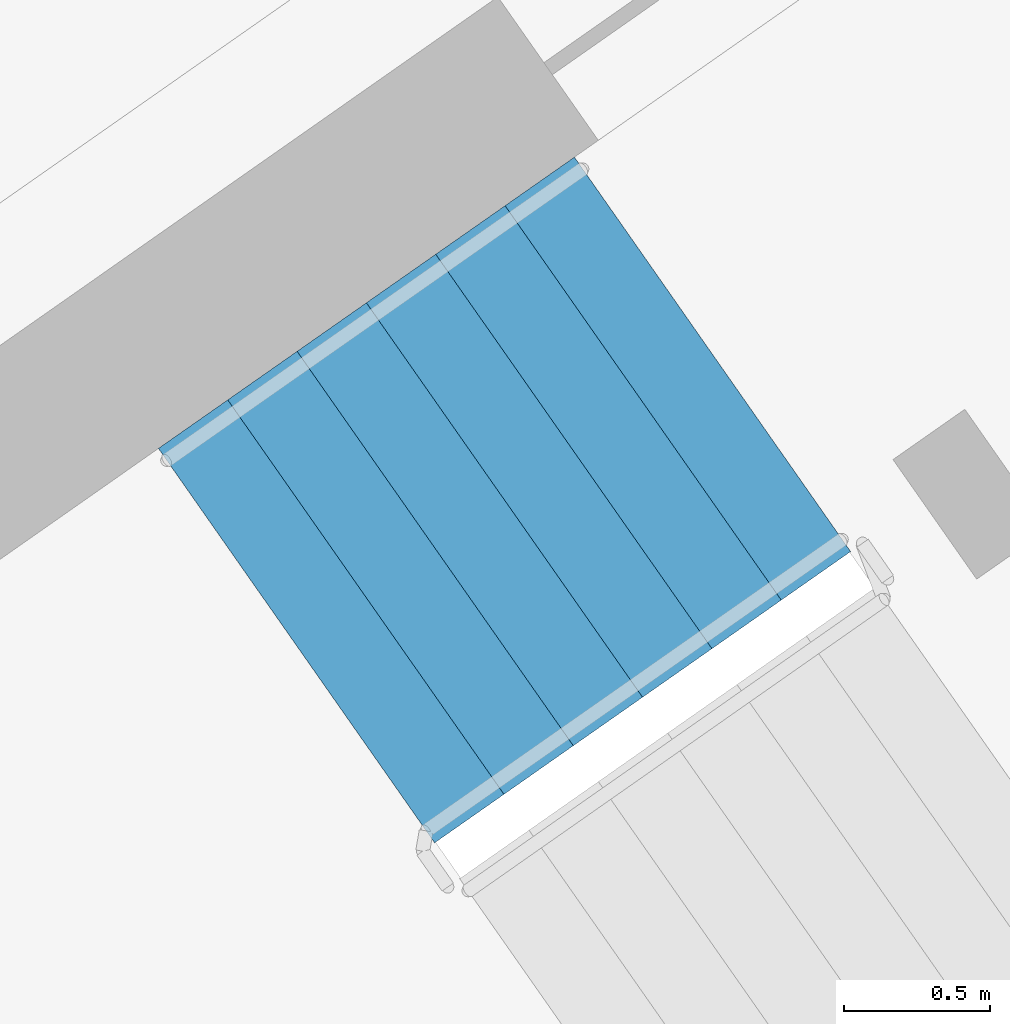
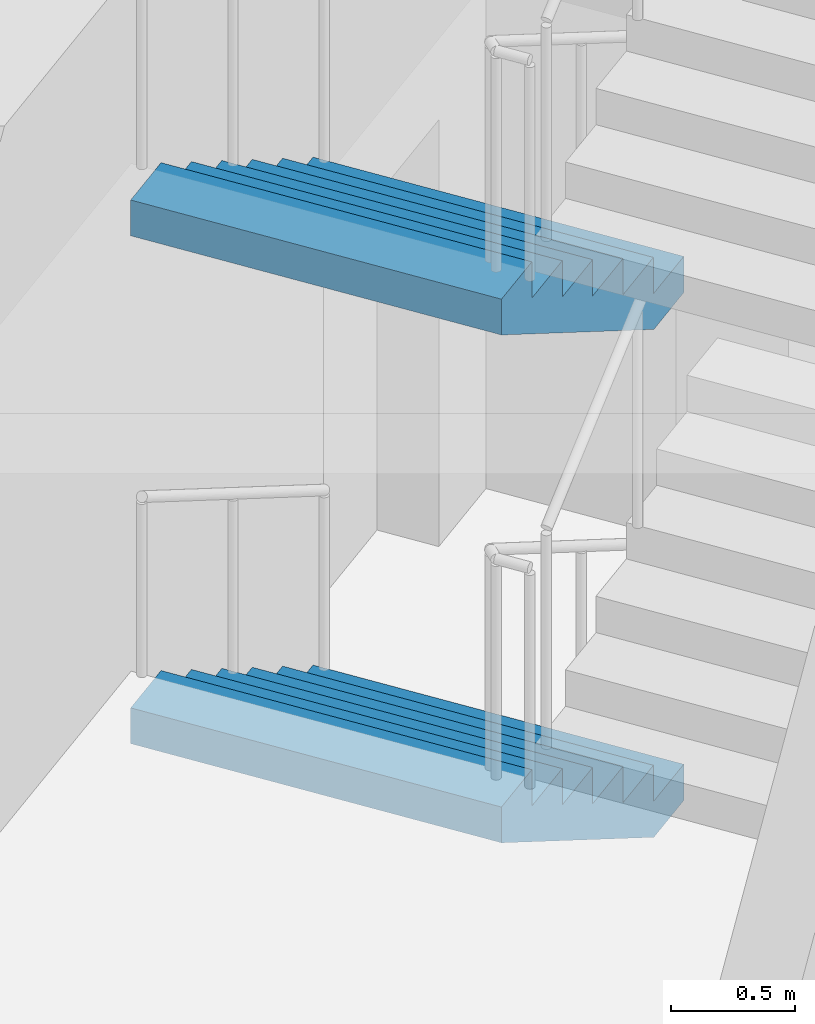
# One storey, part 20 of 24: 2 stair flights, 1 element without a shape of its own.
"""IFC4 building model written with IfcOpenShell, lengths in metres."""

from ifc_helpers import new_model, si_unit, direction, frame, origin, place, context, subcontext, project, spatial, faceted_brep, material, type_object, element, aggregate, save


model = new_model("IFC4")

# Units and contexts
model_context = context("Model", 3, precision=1e-05, world=origin(), true_north=direction((0.0, 1.0)))
body_context = subcontext(model_context, "Body", "Model", "MODEL_VIEW")
ifc_project = project(units=[si_unit("LENGTHUNIT", "METRE"), si_unit("AREAUNIT", "SQUARE_METRE"), si_unit("VOLUMEUNIT", "CUBIC_METRE"), si_unit("PLANEANGLEUNIT", "RADIAN"), si_unit("MASSUNIT", "GRAM", prefix="KILO")], contexts=[model_context])

# Site, building, storey
site_placement = place(None, origin())
site = spatial("IfcSite", under=ifc_project, at=site_placement, CompositionType="ELEMENT")
building_placement = place(site_placement, origin())
building = spatial("IfcBuilding", under=site, at=building_placement, Name="Qamariyya Broadcast Tower", CompositionType="ELEMENT")
storey_placement = place(building_placement, frame((0.0, 0.0, 198.699951171875)))
storey = spatial("IfcBuildingStorey", under=building, at=storey_placement, Name="L47", CompositionType="ELEMENT", Elevation=198.699951171875)

# Stair, stair flights
ifc_material = material(Name="Concrete C50/60", Category="concrete")
stair_type = type_object("IfcStairType", Name="Exit stair 28 risers of 179 mm", PredefinedType="HALF_TURN_STAIR", material=ifc_material)
stair_placement = place(storey_placement, origin())
stair = element("IfcStair", 1, at=stair_placement, inside=storey, type_object=stair_type, Name="L47 Stair E2", PredefinedType="HALF_TURN_STAIR")
stair_flight_type = type_object("IfcStairFlightType", Name="Exit stair flight 7 risers of 179 mm", PredefinedType="STRAIGHT", material=ifc_material)
stair_flight_1_placement = place(storey_placement, frame((40.558837890625, -47.685302734375, 0.0), z_axis=(0.0, 0.0, 1.0), x_axis=(-0.819152044289, -0.573576436351, 0.0)))
stair_flight_1 = element("IfcStairFlight", 2, at=stair_flight_1_placement, type_object=stair_flight_type, Name="ST-E2 flight 1", NumberOfRisers=7, NumberOfTreads=6, PredefinedType="STRAIGHT", RiserHeight=0.178571429, TreadLength=0.29, context=body_context, shape_type="Brep", body=[
    faceted_brep([(0.0, 0.824951171875, 0.0), (0.0, 0.824951171875, 0.178466796875), (0.2900390625, 0.824951171875, 0.178466796875), (0.2900390625, 0.824951171875, 0.357177734375), (0.580078125, 0.824951171875, 0.357177734375), (0.580078125, 0.824951171875, 0.53564453125), (0.8701171875, 0.824951171875, 0.53564453125), (0.8701171875, 0.824951171875, 0.71435546875), (1.159912109375, 0.824951171875, 0.71435546875), (1.159912109375, 0.824951171875, 0.892822265625), (1.449951171875, 0.824951171875, 0.892822265625), (1.449951171875, 0.824951171875, 1.071533203125), (1.739990234375, 0.824951171875, 1.071533203125), (1.739990234375, 0.824951171875, 0.8955078125), (0.285888671875, 0.824951171875, 0.0), (0.285888671875, -0.824951171875, 0.0), (1.739990234375, -0.824951171875, 0.8955078125), (1.739990234375, -0.824951171875, 1.071533203125), (1.449951171875, -0.824951171875, 1.071533203125), (1.449951171875, -0.824951171875, 0.892822265625), (1.159912109375, -0.824951171875, 0.892822265625), (1.159912109375, -0.824951171875, 0.71435546875), (0.8701171875, -0.824951171875, 0.71435546875), (0.8701171875, -0.824951171875, 0.53564453125), (0.580078125, -0.824951171875, 0.53564453125), (0.580078125, -0.824951171875, 0.357177734375), (0.2900390625, -0.824951171875, 0.357177734375), (0.2900390625, -0.824951171875, 0.178466796875), (0.0, -0.824951171875, 0.178466796875), (0.0, -0.824951171875, 0.0), (0.0, 0.10009765625, 0.0), (0.0, 0.086669921875, 0.0), (0.0, 0.0732421875, 0.0), (0.0, 0.06005859375, 0.0), (0.0, 0.046630859375, 0.0), (0.0, 0.033447265625, 0.0), (0.0, 0.02001953125, 0.0), (0.0, 0.006591796875, 0.0), (0.0, -0.006591796875, 0.0), (0.0, -0.02001953125, 0.0), (0.0, -0.033447265625, 0.0), (0.0, -0.046630859375, 0.0), (0.0, -0.06005859375, 0.0), (0.0, -0.0732421875, 0.0), (0.0, -0.086669921875, 0.0), (0.0, -0.10009765625, 0.0), (0.0, -0.10009765625, 0.178466796875), (0.0, -0.086669921875, 0.178466796875), (0.0, -0.0732421875, 0.178466796875), (0.0, -0.06005859375, 0.178466796875), (0.0, -0.046630859375, 0.178466796875), (0.0, -0.033447265625, 0.178466796875), (0.0, -0.02001953125, 0.178466796875), (0.0, -0.006591796875, 0.178466796875), (0.0, 0.006591796875, 0.178466796875), (0.0, 0.02001953125, 0.178466796875), (0.0, 0.033447265625, 0.178466796875), (0.0, 0.046630859375, 0.178466796875), (0.0, 0.06005859375, 0.178466796875), (0.0, 0.0732421875, 0.178466796875), (0.0, 0.086669921875, 0.178466796875), (0.0, 0.10009765625, 0.178466796875), (0.2900390625, -0.10009765625, 0.178466796875), (0.2900390625, -0.086669921875, 0.178466796875), (0.2900390625, -0.0732421875, 0.178466796875), (0.2900390625, -0.06005859375, 0.178466796875), (0.2900390625, -0.046630859375, 0.178466796875), (0.2900390625, -0.033447265625, 0.178466796875), (0.2900390625, -0.02001953125, 0.178466796875), (0.2900390625, -0.006591796875, 0.178466796875), (0.2900390625, 0.006591796875, 0.178466796875), (0.2900390625, 0.02001953125, 0.178466796875), (0.2900390625, 0.033447265625, 0.178466796875), (0.2900390625, 0.046630859375, 0.178466796875), (0.2900390625, 0.06005859375, 0.178466796875), (0.2900390625, 0.0732421875, 0.178466796875), (0.2900390625, 0.086669921875, 0.178466796875), (0.2900390625, 0.10009765625, 0.178466796875), (0.2900390625, -0.10009765625, 0.357177734375), (0.2900390625, -0.086669921875, 0.357177734375), (0.2900390625, -0.0732421875, 0.357177734375), (0.2900390625, -0.06005859375, 0.357177734375), (0.2900390625, -0.046630859375, 0.357177734375), (0.2900390625, -0.033447265625, 0.357177734375), (0.2900390625, -0.02001953125, 0.357177734375), (0.2900390625, -0.006591796875, 0.357177734375), (0.2900390625, 0.006591796875, 0.357177734375), (0.2900390625, 0.02001953125, 0.357177734375), (0.2900390625, 0.033447265625, 0.357177734375), (0.2900390625, 0.046630859375, 0.357177734375), (0.2900390625, 0.06005859375, 0.357177734375), (0.2900390625, 0.0732421875, 0.357177734375), (0.2900390625, 0.086669921875, 0.357177734375), (0.2900390625, 0.10009765625, 0.357177734375), (0.580078125, -0.10009765625, 0.357177734375), (0.580078125, -0.086669921875, 0.357177734375), (0.580078125, -0.0732421875, 0.357177734375), (0.580078125, -0.06005859375, 0.357177734375), (0.580078125, -0.046630859375, 0.357177734375), (0.580078125, -0.033447265625, 0.357177734375), (0.580078125, -0.02001953125, 0.357177734375), (0.580078125, -0.006591796875, 0.357177734375), (0.580078125, 0.006591796875, 0.357177734375), (0.580078125, 0.02001953125, 0.357177734375), (0.580078125, 0.033447265625, 0.357177734375), (0.580078125, 0.046630859375, 0.357177734375), (0.580078125, 0.06005859375, 0.357177734375), (0.580078125, 0.0732421875, 0.357177734375), (0.580078125, 0.086669921875, 0.357177734375), (0.580078125, 0.10009765625, 0.357177734375), (0.580078125, -0.10009765625, 0.53564453125), (0.580078125, -0.086669921875, 0.53564453125), (0.580078125, -0.0732421875, 0.53564453125), (0.580078125, -0.06005859375, 0.53564453125), (0.580078125, -0.046630859375, 0.53564453125), (0.580078125, -0.033447265625, 0.53564453125), (0.580078125, -0.02001953125, 0.53564453125), (0.580078125, -0.006591796875, 0.53564453125), (0.580078125, 0.006591796875, 0.53564453125), (0.580078125, 0.02001953125, 0.53564453125), (0.580078125, 0.033447265625, 0.53564453125), (0.580078125, 0.046630859375, 0.53564453125), (0.580078125, 0.06005859375, 0.53564453125), (0.580078125, 0.0732421875, 0.53564453125), (0.580078125, 0.086669921875, 0.53564453125), (0.580078125, 0.10009765625, 0.53564453125), (0.8701171875, -0.10009765625, 0.53564453125), (0.8701171875, -0.086669921875, 0.53564453125), (0.8701171875, -0.0732421875, 0.53564453125), (0.8701171875, -0.06005859375, 0.53564453125), (0.8701171875, -0.046630859375, 0.53564453125), (0.8701171875, -0.033447265625, 0.53564453125), (0.8701171875, -0.02001953125, 0.53564453125), (0.8701171875, -0.006591796875, 0.53564453125), (0.8701171875, 0.006591796875, 0.53564453125), (0.8701171875, 0.02001953125, 0.53564453125), (0.8701171875, 0.033447265625, 0.53564453125), (0.8701171875, 0.046630859375, 0.53564453125), (0.8701171875, 0.06005859375, 0.53564453125), (0.8701171875, 0.0732421875, 0.53564453125), (0.8701171875, 0.086669921875, 0.53564453125), (0.8701171875, 0.10009765625, 0.53564453125), (0.8701171875, -0.10009765625, 0.71435546875), (0.8701171875, -0.086669921875, 0.71435546875), (0.8701171875, -0.0732421875, 0.71435546875), (0.8701171875, -0.06005859375, 0.71435546875), (0.8701171875, -0.046630859375, 0.71435546875), (0.8701171875, -0.033447265625, 0.71435546875), (0.8701171875, -0.02001953125, 0.71435546875), (0.8701171875, -0.006591796875, 0.71435546875), (0.8701171875, 0.006591796875, 0.71435546875), (0.8701171875, 0.02001953125, 0.71435546875), (0.8701171875, 0.033447265625, 0.71435546875), (0.8701171875, 0.046630859375, 0.71435546875), (0.8701171875, 0.06005859375, 0.71435546875), (0.8701171875, 0.0732421875, 0.71435546875), (0.8701171875, 0.086669921875, 0.71435546875), (0.8701171875, 0.10009765625, 0.71435546875), (1.159912109375, -0.10009765625, 0.71435546875), (1.159912109375, -0.086669921875, 0.71435546875), (1.159912109375, -0.0732421875, 0.71435546875), (1.159912109375, -0.06005859375, 0.71435546875), (1.159912109375, -0.046630859375, 0.71435546875), (1.159912109375, -0.033447265625, 0.71435546875), (1.159912109375, -0.02001953125, 0.71435546875), (1.159912109375, -0.006591796875, 0.71435546875), (1.159912109375, 0.006591796875, 0.71435546875), (1.159912109375, 0.02001953125, 0.71435546875), (1.159912109375, 0.033447265625, 0.71435546875), (1.159912109375, 0.046630859375, 0.71435546875), (1.159912109375, 0.06005859375, 0.71435546875), (1.159912109375, 0.0732421875, 0.71435546875), (1.159912109375, 0.086669921875, 0.71435546875), (1.159912109375, 0.10009765625, 0.71435546875), (1.159912109375, -0.10009765625, 0.892822265625), (1.159912109375, -0.086669921875, 0.892822265625), (1.159912109375, -0.0732421875, 0.892822265625), (1.159912109375, -0.06005859375, 0.892822265625), (1.159912109375, -0.046630859375, 0.892822265625), (1.159912109375, -0.033447265625, 0.892822265625), (1.159912109375, -0.02001953125, 0.892822265625), (1.159912109375, -0.006591796875, 0.892822265625), (1.159912109375, 0.006591796875, 0.892822265625), (1.159912109375, 0.02001953125, 0.892822265625), (1.159912109375, 0.033447265625, 0.892822265625), (1.159912109375, 0.046630859375, 0.892822265625), (1.159912109375, 0.06005859375, 0.892822265625), (1.159912109375, 0.0732421875, 0.892822265625), (1.159912109375, 0.086669921875, 0.892822265625), (1.159912109375, 0.10009765625, 0.892822265625), (1.449951171875, -0.10009765625, 0.892822265625), (1.449951171875, -0.086669921875, 0.892822265625), (1.449951171875, -0.0732421875, 0.892822265625), (1.449951171875, -0.06005859375, 0.892822265625), (1.449951171875, -0.046630859375, 0.892822265625), (1.449951171875, -0.033447265625, 0.892822265625), (1.449951171875, -0.02001953125, 0.892822265625), (1.449951171875, -0.006591796875, 0.892822265625), (1.449951171875, 0.006591796875, 0.892822265625), (1.449951171875, 0.02001953125, 0.892822265625), (1.449951171875, 0.033447265625, 0.892822265625), (1.449951171875, 0.046630859375, 0.892822265625), (1.449951171875, 0.06005859375, 0.892822265625), (1.449951171875, 0.0732421875, 0.892822265625), (1.449951171875, 0.086669921875, 0.892822265625), (1.449951171875, 0.10009765625, 0.892822265625), (1.449951171875, -0.10009765625, 1.071533203125), (1.449951171875, -0.086669921875, 1.071533203125), (1.449951171875, -0.0732421875, 1.071533203125), (1.449951171875, -0.06005859375, 1.071533203125), (1.449951171875, -0.046630859375, 1.071533203125), (1.449951171875, -0.033447265625, 1.071533203125), (1.449951171875, -0.02001953125, 1.071533203125), (1.449951171875, -0.006591796875, 1.071533203125), (1.449951171875, 0.006591796875, 1.071533203125), (1.449951171875, 0.02001953125, 1.071533203125), (1.449951171875, 0.033447265625, 1.071533203125), (1.449951171875, 0.046630859375, 1.071533203125), (1.449951171875, 0.06005859375, 1.071533203125), (1.449951171875, 0.0732421875, 1.071533203125), (1.449951171875, 0.086669921875, 1.071533203125), (1.449951171875, 0.10009765625, 1.071533203125), (1.739990234375, -0.10009765625, 1.071533203125), (1.739990234375, -0.086669921875, 1.071533203125), (1.739990234375, -0.0732421875, 1.071533203125), (1.739990234375, -0.06005859375, 1.071533203125), (1.739990234375, -0.046630859375, 1.071533203125), (1.739990234375, -0.033447265625, 1.071533203125), (1.739990234375, -0.02001953125, 1.071533203125), (1.739990234375, -0.006591796875, 1.071533203125), (1.739990234375, 0.006591796875, 1.071533203125), (1.739990234375, 0.02001953125, 1.071533203125), (1.739990234375, 0.033447265625, 1.071533203125), (1.739990234375, 0.046630859375, 1.071533203125), (1.739990234375, 0.06005859375, 1.071533203125), (1.739990234375, 0.0732421875, 1.071533203125), (1.739990234375, 0.086669921875, 1.071533203125), (1.739990234375, 0.10009765625, 1.071533203125), (1.739990234375, -0.10009765625, 0.8955078125), (1.739990234375, -0.086669921875, 0.8955078125), (1.739990234375, -0.0732421875, 0.8955078125), (1.739990234375, -0.06005859375, 0.8955078125), (1.739990234375, -0.046630859375, 0.8955078125), (1.739990234375, -0.033447265625, 0.8955078125), (1.739990234375, -0.02001953125, 0.8955078125), (1.739990234375, -0.006591796875, 0.8955078125), (1.739990234375, 0.006591796875, 0.8955078125), (1.739990234375, 0.02001953125, 0.8955078125), (1.739990234375, 0.033447265625, 0.8955078125), (1.739990234375, 0.046630859375, 0.8955078125), (1.739990234375, 0.06005859375, 0.8955078125), (1.739990234375, 0.0732421875, 0.8955078125), (1.739990234375, 0.086669921875, 0.8955078125), (1.739990234375, 0.10009765625, 0.8955078125), (0.285888671875, -0.10009765625, 0.0), (0.285888671875, -0.086669921875, 0.0), (0.285888671875, -0.0732421875, 0.0), (0.285888671875, -0.06005859375, 0.0), (0.285888671875, -0.046630859375, 0.0), (0.285888671875, -0.033447265625, 0.0), (0.285888671875, -0.02001953125, 0.0), (0.285888671875, -0.006591796875, 0.0), (0.285888671875, 0.006591796875, 0.0), (0.285888671875, 0.02001953125, 0.0), (0.285888671875, 0.033447265625, 0.0), (0.285888671875, 0.046630859375, 0.0), (0.285888671875, 0.06005859375, 0.0), (0.285888671875, 0.0732421875, 0.0), (0.285888671875, 0.086669921875, 0.0), (0.285888671875, 0.10009765625, 0.0)], [[[0, 1, 2, 3, 4, 5, 6, 7, 8, 9, 10, 11, 12, 13, 14]], [[15, 16, 17, 18, 19, 20, 21, 22, 23, 24, 25, 26, 27, 28, 29]], [[0, 30, 31, 32, 33, 34, 35, 36, 37, 38, 39, 40, 41, 42, 43, 44, 45, 29, 28, 46, 47, 48, 49, 50, 51, 52, 53, 54, 55, 56, 57, 58, 59, 60, 61, 1]], [[1, 61, 60, 59, 58, 57, 56, 55, 54, 53, 52, 51, 50, 49, 48, 47, 46, 28, 27, 62, 63, 64, 65, 66, 67, 68, 69, 70, 71, 72, 73, 74, 75, 76, 77, 2]], [[2, 77, 76, 75, 74, 73, 72, 71, 70, 69, 68, 67, 66, 65, 64, 63, 62, 27, 26, 78, 79, 80, 81, 82, 83, 84, 85, 86, 87, 88, 89, 90, 91, 92, 93, 3]], [[3, 93, 92, 91, 90, 89, 88, 87, 86, 85, 84, 83, 82, 81, 80, 79, 78, 26, 25, 94, 95, 96, 97, 98, 99, 100, 101, 102, 103, 104, 105, 106, 107, 108, 109, 4]], [[4, 109, 108, 107, 106, 105, 104, 103, 102, 101, 100, 99, 98, 97, 96, 95, 94, 25, 24, 110, 111, 112, 113, 114, 115, 116, 117, 118, 119, 120, 121, 122, 123, 124, 125, 5]], [[5, 125, 124, 123, 122, 121, 120, 119, 118, 117, 116, 115, 114, 113, 112, 111, 110, 24, 23, 126, 127, 128, 129, 130, 131, 132, 133, 134, 135, 136, 137, 138, 139, 140, 141, 6]], [[6, 141, 140, 139, 138, 137, 136, 135, 134, 133, 132, 131, 130, 129, 128, 127, 126, 23, 22, 142, 143, 144, 145, 146, 147, 148, 149, 150, 151, 152, 153, 154, 155, 156, 157, 7]], [[7, 157, 156, 155, 154, 153, 152, 151, 150, 149, 148, 147, 146, 145, 144, 143, 142, 22, 21, 158, 159, 160, 161, 162, 163, 164, 165, 166, 167, 168, 169, 170, 171, 172, 173, 8]], [[8, 173, 172, 171, 170, 169, 168, 167, 166, 165, 164, 163, 162, 161, 160, 159, 158, 21, 20, 174, 175, 176, 177, 178, 179, 180, 181, 182, 183, 184, 185, 186, 187, 188, 189, 9]], [[9, 189, 188, 187, 186, 185, 184, 183, 182, 181, 180, 179, 178, 177, 176, 175, 174, 20, 19, 190, 191, 192, 193, 194, 195, 196, 197, 198, 199, 200, 201, 202, 203, 204, 205, 10]], [[10, 205, 204, 203, 202, 201, 200, 199, 198, 197, 196, 195, 194, 193, 192, 191, 190, 19, 18, 206, 207, 208, 209, 210, 211, 212, 213, 214, 215, 216, 217, 218, 219, 220, 221, 11]], [[11, 221, 220, 219, 218, 217, 216, 215, 214, 213, 212, 211, 210, 209, 208, 207, 206, 18, 17, 222, 223, 224, 225, 226, 227, 228, 229, 230, 231, 232, 233, 234, 235, 236, 237, 12]], [[12, 237, 236, 235, 234, 233, 232, 231, 230, 229, 228, 227, 226, 225, 224, 223, 222, 17, 16, 238, 239, 240, 241, 242, 243, 244, 245, 246, 247, 248, 249, 250, 251, 252, 253, 13]], [[13, 253, 252, 251, 250, 249, 248, 247, 246, 245, 244, 243, 242, 241, 240, 239, 238, 16, 15, 254, 255, 256, 257, 258, 259, 260, 261, 262, 263, 264, 265, 266, 267, 268, 269, 14]], [[14, 269, 268, 267, 266, 265, 264, 263, 262, 261, 260, 259, 258, 257, 256, 255, 254, 15, 29, 45, 44, 43, 42, 41, 40, 39, 38, 37, 36, 35, 34, 33, 32, 31, 30, 0]]]),
])
stair_flight_2_placement = place(storey_placement, frame((40.558837890625, -47.685302734375, 2.5), z_axis=(0.0, 0.0, 1.0), x_axis=(-0.819152044289, -0.573576436351, 0.0)))
stair_flight_2 = element("IfcStairFlight", 3, at=stair_flight_2_placement, type_object=stair_flight_type, Name="ST-E2 flight 3", NumberOfRisers=7, NumberOfTreads=6, PredefinedType="STRAIGHT", RiserHeight=0.178571429, TreadLength=0.29, context=body_context, shape_type="Brep", body=[
    faceted_brep([(0.0, 0.824951171875, 0.0), (0.0, 0.824951171875, 0.178466796875), (0.2900390625, 0.824951171875, 0.178466796875), (0.2900390625, 0.824951171875, 0.357177734375), (0.580078125, 0.824951171875, 0.357177734375), (0.580078125, 0.824951171875, 0.53564453125), (0.8701171875, 0.824951171875, 0.53564453125), (0.8701171875, 0.824951171875, 0.71435546875), (1.159912109375, 0.824951171875, 0.71435546875), (1.159912109375, 0.824951171875, 0.892822265625), (1.449951171875, 0.824951171875, 0.892822265625), (1.449951171875, 0.824951171875, 1.071533203125), (1.739990234375, 0.824951171875, 1.071533203125), (1.739990234375, 0.824951171875, 0.8955078125), (0.285888671875, 0.824951171875, 0.0), (0.285888671875, -0.824951171875, 0.0), (1.739990234375, -0.824951171875, 0.8955078125), (1.739990234375, -0.824951171875, 1.071533203125), (1.449951171875, -0.824951171875, 1.071533203125), (1.449951171875, -0.824951171875, 0.892822265625), (1.159912109375, -0.824951171875, 0.892822265625), (1.159912109375, -0.824951171875, 0.71435546875), (0.8701171875, -0.824951171875, 0.71435546875), (0.8701171875, -0.824951171875, 0.53564453125), (0.580078125, -0.824951171875, 0.53564453125), (0.580078125, -0.824951171875, 0.357177734375), (0.2900390625, -0.824951171875, 0.357177734375), (0.2900390625, -0.824951171875, 0.178466796875), (0.0, -0.824951171875, 0.178466796875), (0.0, -0.824951171875, 0.0), (0.0, 0.10009765625, 0.0), (0.0, 0.086669921875, 0.0), (0.0, 0.0732421875, 0.0), (0.0, 0.06005859375, 0.0), (0.0, 0.046630859375, 0.0), (0.0, 0.033447265625, 0.0), (0.0, 0.02001953125, 0.0), (0.0, 0.006591796875, 0.0), (0.0, -0.006591796875, 0.0), (0.0, -0.02001953125, 0.0), (0.0, -0.033447265625, 0.0), (0.0, -0.046630859375, 0.0), (0.0, -0.06005859375, 0.0), (0.0, -0.0732421875, 0.0), (0.0, -0.086669921875, 0.0), (0.0, -0.10009765625, 0.0), (0.0, -0.10009765625, 0.178466796875), (0.0, -0.086669921875, 0.178466796875), (0.0, -0.0732421875, 0.178466796875), (0.0, -0.06005859375, 0.178466796875), (0.0, -0.046630859375, 0.178466796875), (0.0, -0.033447265625, 0.178466796875), (0.0, -0.02001953125, 0.178466796875), (0.0, -0.006591796875, 0.178466796875), (0.0, 0.006591796875, 0.178466796875), (0.0, 0.02001953125, 0.178466796875), (0.0, 0.033447265625, 0.178466796875), (0.0, 0.046630859375, 0.178466796875), (0.0, 0.06005859375, 0.178466796875), (0.0, 0.0732421875, 0.178466796875), (0.0, 0.086669921875, 0.178466796875), (0.0, 0.10009765625, 0.178466796875), (0.2900390625, -0.10009765625, 0.178466796875), (0.2900390625, -0.086669921875, 0.178466796875), (0.2900390625, -0.0732421875, 0.178466796875), (0.2900390625, -0.06005859375, 0.178466796875), (0.2900390625, -0.046630859375, 0.178466796875), (0.2900390625, -0.033447265625, 0.178466796875), (0.2900390625, -0.02001953125, 0.178466796875), (0.2900390625, -0.006591796875, 0.178466796875), (0.2900390625, 0.006591796875, 0.178466796875), (0.2900390625, 0.02001953125, 0.178466796875), (0.2900390625, 0.033447265625, 0.178466796875), (0.2900390625, 0.046630859375, 0.178466796875), (0.2900390625, 0.06005859375, 0.178466796875), (0.2900390625, 0.0732421875, 0.178466796875), (0.2900390625, 0.086669921875, 0.178466796875), (0.2900390625, 0.10009765625, 0.178466796875), (0.2900390625, -0.10009765625, 0.357177734375), (0.2900390625, -0.086669921875, 0.357177734375), (0.2900390625, -0.0732421875, 0.357177734375), (0.2900390625, -0.06005859375, 0.357177734375), (0.2900390625, -0.046630859375, 0.357177734375), (0.2900390625, -0.033447265625, 0.357177734375), (0.2900390625, -0.02001953125, 0.357177734375), (0.2900390625, -0.006591796875, 0.357177734375), (0.2900390625, 0.006591796875, 0.357177734375), (0.2900390625, 0.02001953125, 0.357177734375), (0.2900390625, 0.033447265625, 0.357177734375), (0.2900390625, 0.046630859375, 0.357177734375), (0.2900390625, 0.06005859375, 0.357177734375), (0.2900390625, 0.0732421875, 0.357177734375), (0.2900390625, 0.086669921875, 0.357177734375), (0.2900390625, 0.10009765625, 0.357177734375), (0.580078125, -0.10009765625, 0.357177734375), (0.580078125, -0.086669921875, 0.357177734375), (0.580078125, -0.0732421875, 0.357177734375), (0.580078125, -0.06005859375, 0.357177734375), (0.580078125, -0.046630859375, 0.357177734375), (0.580078125, -0.033447265625, 0.357177734375), (0.580078125, -0.02001953125, 0.357177734375), (0.580078125, -0.006591796875, 0.357177734375), (0.580078125, 0.006591796875, 0.357177734375), (0.580078125, 0.02001953125, 0.357177734375), (0.580078125, 0.033447265625, 0.357177734375), (0.580078125, 0.046630859375, 0.357177734375), (0.580078125, 0.06005859375, 0.357177734375), (0.580078125, 0.0732421875, 0.357177734375), (0.580078125, 0.086669921875, 0.357177734375), (0.580078125, 0.10009765625, 0.357177734375), (0.580078125, -0.10009765625, 0.53564453125), (0.580078125, -0.086669921875, 0.53564453125), (0.580078125, -0.0732421875, 0.53564453125), (0.580078125, -0.06005859375, 0.53564453125), (0.580078125, -0.046630859375, 0.53564453125), (0.580078125, -0.033447265625, 0.53564453125), (0.580078125, -0.02001953125, 0.53564453125), (0.580078125, -0.006591796875, 0.53564453125), (0.580078125, 0.006591796875, 0.53564453125), (0.580078125, 0.02001953125, 0.53564453125), (0.580078125, 0.033447265625, 0.53564453125), (0.580078125, 0.046630859375, 0.53564453125), (0.580078125, 0.06005859375, 0.53564453125), (0.580078125, 0.0732421875, 0.53564453125), (0.580078125, 0.086669921875, 0.53564453125), (0.580078125, 0.10009765625, 0.53564453125), (0.8701171875, -0.10009765625, 0.53564453125), (0.8701171875, -0.086669921875, 0.53564453125), (0.8701171875, -0.0732421875, 0.53564453125), (0.8701171875, -0.06005859375, 0.53564453125), (0.8701171875, -0.046630859375, 0.53564453125), (0.8701171875, -0.033447265625, 0.53564453125), (0.8701171875, -0.02001953125, 0.53564453125), (0.8701171875, -0.006591796875, 0.53564453125), (0.8701171875, 0.006591796875, 0.53564453125), (0.8701171875, 0.02001953125, 0.53564453125), (0.8701171875, 0.033447265625, 0.53564453125), (0.8701171875, 0.046630859375, 0.53564453125), (0.8701171875, 0.06005859375, 0.53564453125), (0.8701171875, 0.0732421875, 0.53564453125), (0.8701171875, 0.086669921875, 0.53564453125), (0.8701171875, 0.10009765625, 0.53564453125), (0.8701171875, -0.10009765625, 0.71435546875), (0.8701171875, -0.086669921875, 0.71435546875), (0.8701171875, -0.0732421875, 0.71435546875), (0.8701171875, -0.06005859375, 0.71435546875), (0.8701171875, -0.046630859375, 0.71435546875), (0.8701171875, -0.033447265625, 0.71435546875), (0.8701171875, -0.02001953125, 0.71435546875), (0.8701171875, -0.006591796875, 0.71435546875), (0.8701171875, 0.006591796875, 0.71435546875), (0.8701171875, 0.02001953125, 0.71435546875), (0.8701171875, 0.033447265625, 0.71435546875), (0.8701171875, 0.046630859375, 0.71435546875), (0.8701171875, 0.06005859375, 0.71435546875), (0.8701171875, 0.0732421875, 0.71435546875), (0.8701171875, 0.086669921875, 0.71435546875), (0.8701171875, 0.10009765625, 0.71435546875), (1.159912109375, -0.10009765625, 0.71435546875), (1.159912109375, -0.086669921875, 0.71435546875), (1.159912109375, -0.0732421875, 0.71435546875), (1.159912109375, -0.06005859375, 0.71435546875), (1.159912109375, -0.046630859375, 0.71435546875), (1.159912109375, -0.033447265625, 0.71435546875), (1.159912109375, -0.02001953125, 0.71435546875), (1.159912109375, -0.006591796875, 0.71435546875), (1.159912109375, 0.006591796875, 0.71435546875), (1.159912109375, 0.02001953125, 0.71435546875), (1.159912109375, 0.033447265625, 0.71435546875), (1.159912109375, 0.046630859375, 0.71435546875), (1.159912109375, 0.06005859375, 0.71435546875), (1.159912109375, 0.0732421875, 0.71435546875), (1.159912109375, 0.086669921875, 0.71435546875), (1.159912109375, 0.10009765625, 0.71435546875), (1.159912109375, -0.10009765625, 0.892822265625), (1.159912109375, -0.086669921875, 0.892822265625), (1.159912109375, -0.0732421875, 0.892822265625), (1.159912109375, -0.06005859375, 0.892822265625), (1.159912109375, -0.046630859375, 0.892822265625), (1.159912109375, -0.033447265625, 0.892822265625), (1.159912109375, -0.02001953125, 0.892822265625), (1.159912109375, -0.006591796875, 0.892822265625), (1.159912109375, 0.006591796875, 0.892822265625), (1.159912109375, 0.02001953125, 0.892822265625), (1.159912109375, 0.033447265625, 0.892822265625), (1.159912109375, 0.046630859375, 0.892822265625), (1.159912109375, 0.06005859375, 0.892822265625), (1.159912109375, 0.0732421875, 0.892822265625), (1.159912109375, 0.086669921875, 0.892822265625), (1.159912109375, 0.10009765625, 0.892822265625), (1.449951171875, -0.10009765625, 0.892822265625), (1.449951171875, -0.086669921875, 0.892822265625), (1.449951171875, -0.0732421875, 0.892822265625), (1.449951171875, -0.06005859375, 0.892822265625), (1.449951171875, -0.046630859375, 0.892822265625), (1.449951171875, -0.033447265625, 0.892822265625), (1.449951171875, -0.02001953125, 0.892822265625), (1.449951171875, -0.006591796875, 0.892822265625), (1.449951171875, 0.006591796875, 0.892822265625), (1.449951171875, 0.02001953125, 0.892822265625), (1.449951171875, 0.033447265625, 0.892822265625), (1.449951171875, 0.046630859375, 0.892822265625), (1.449951171875, 0.06005859375, 0.892822265625), (1.449951171875, 0.0732421875, 0.892822265625), (1.449951171875, 0.086669921875, 0.892822265625), (1.449951171875, 0.10009765625, 0.892822265625), (1.449951171875, -0.10009765625, 1.071533203125), (1.449951171875, -0.086669921875, 1.071533203125), (1.449951171875, -0.0732421875, 1.071533203125), (1.449951171875, -0.06005859375, 1.071533203125), (1.449951171875, -0.046630859375, 1.071533203125), (1.449951171875, -0.033447265625, 1.071533203125), (1.449951171875, -0.02001953125, 1.071533203125), (1.449951171875, -0.006591796875, 1.071533203125), (1.449951171875, 0.006591796875, 1.071533203125), (1.449951171875, 0.02001953125, 1.071533203125), (1.449951171875, 0.033447265625, 1.071533203125), (1.449951171875, 0.046630859375, 1.071533203125), (1.449951171875, 0.06005859375, 1.071533203125), (1.449951171875, 0.0732421875, 1.071533203125), (1.449951171875, 0.086669921875, 1.071533203125), (1.449951171875, 0.10009765625, 1.071533203125), (1.739990234375, -0.10009765625, 1.071533203125), (1.739990234375, -0.086669921875, 1.071533203125), (1.739990234375, -0.0732421875, 1.071533203125), (1.739990234375, -0.06005859375, 1.071533203125), (1.739990234375, -0.046630859375, 1.071533203125), (1.739990234375, -0.033447265625, 1.071533203125), (1.739990234375, -0.02001953125, 1.071533203125), (1.739990234375, -0.006591796875, 1.071533203125), (1.739990234375, 0.006591796875, 1.071533203125), (1.739990234375, 0.02001953125, 1.071533203125), (1.739990234375, 0.033447265625, 1.071533203125), (1.739990234375, 0.046630859375, 1.071533203125), (1.739990234375, 0.06005859375, 1.071533203125), (1.739990234375, 0.0732421875, 1.071533203125), (1.739990234375, 0.086669921875, 1.071533203125), (1.739990234375, 0.10009765625, 1.071533203125), (1.739990234375, -0.10009765625, 0.8955078125), (1.739990234375, -0.086669921875, 0.8955078125), (1.739990234375, -0.0732421875, 0.8955078125), (1.739990234375, -0.06005859375, 0.8955078125), (1.739990234375, -0.046630859375, 0.8955078125), (1.739990234375, -0.033447265625, 0.8955078125), (1.739990234375, -0.02001953125, 0.8955078125), (1.739990234375, -0.006591796875, 0.8955078125), (1.739990234375, 0.006591796875, 0.8955078125), (1.739990234375, 0.02001953125, 0.8955078125), (1.739990234375, 0.033447265625, 0.8955078125), (1.739990234375, 0.046630859375, 0.8955078125), (1.739990234375, 0.06005859375, 0.8955078125), (1.739990234375, 0.0732421875, 0.8955078125), (1.739990234375, 0.086669921875, 0.8955078125), (1.739990234375, 0.10009765625, 0.8955078125), (0.285888671875, -0.10009765625, 0.0), (0.285888671875, -0.086669921875, 0.0), (0.285888671875, -0.0732421875, 0.0), (0.285888671875, -0.06005859375, 0.0), (0.285888671875, -0.046630859375, 0.0), (0.285888671875, -0.033447265625, 0.0), (0.285888671875, -0.02001953125, 0.0), (0.285888671875, -0.006591796875, 0.0), (0.285888671875, 0.006591796875, 0.0), (0.285888671875, 0.02001953125, 0.0), (0.285888671875, 0.033447265625, 0.0), (0.285888671875, 0.046630859375, 0.0), (0.285888671875, 0.06005859375, 0.0), (0.285888671875, 0.0732421875, 0.0), (0.285888671875, 0.086669921875, 0.0), (0.285888671875, 0.10009765625, 0.0)], [[[0, 1, 2, 3, 4, 5, 6, 7, 8, 9, 10, 11, 12, 13, 14]], [[15, 16, 17, 18, 19, 20, 21, 22, 23, 24, 25, 26, 27, 28, 29]], [[0, 30, 31, 32, 33, 34, 35, 36, 37, 38, 39, 40, 41, 42, 43, 44, 45, 29, 28, 46, 47, 48, 49, 50, 51, 52, 53, 54, 55, 56, 57, 58, 59, 60, 61, 1]], [[1, 61, 60, 59, 58, 57, 56, 55, 54, 53, 52, 51, 50, 49, 48, 47, 46, 28, 27, 62, 63, 64, 65, 66, 67, 68, 69, 70, 71, 72, 73, 74, 75, 76, 77, 2]], [[2, 77, 76, 75, 74, 73, 72, 71, 70, 69, 68, 67, 66, 65, 64, 63, 62, 27, 26, 78, 79, 80, 81, 82, 83, 84, 85, 86, 87, 88, 89, 90, 91, 92, 93, 3]], [[3, 93, 92, 91, 90, 89, 88, 87, 86, 85, 84, 83, 82, 81, 80, 79, 78, 26, 25, 94, 95, 96, 97, 98, 99, 100, 101, 102, 103, 104, 105, 106, 107, 108, 109, 4]], [[4, 109, 108, 107, 106, 105, 104, 103, 102, 101, 100, 99, 98, 97, 96, 95, 94, 25, 24, 110, 111, 112, 113, 114, 115, 116, 117, 118, 119, 120, 121, 122, 123, 124, 125, 5]], [[5, 125, 124, 123, 122, 121, 120, 119, 118, 117, 116, 115, 114, 113, 112, 111, 110, 24, 23, 126, 127, 128, 129, 130, 131, 132, 133, 134, 135, 136, 137, 138, 139, 140, 141, 6]], [[6, 141, 140, 139, 138, 137, 136, 135, 134, 133, 132, 131, 130, 129, 128, 127, 126, 23, 22, 142, 143, 144, 145, 146, 147, 148, 149, 150, 151, 152, 153, 154, 155, 156, 157, 7]], [[7, 157, 156, 155, 154, 153, 152, 151, 150, 149, 148, 147, 146, 145, 144, 143, 142, 22, 21, 158, 159, 160, 161, 162, 163, 164, 165, 166, 167, 168, 169, 170, 171, 172, 173, 8]], [[8, 173, 172, 171, 170, 169, 168, 167, 166, 165, 164, 163, 162, 161, 160, 159, 158, 21, 20, 174, 175, 176, 177, 178, 179, 180, 181, 182, 183, 184, 185, 186, 187, 188, 189, 9]], [[9, 189, 188, 187, 186, 185, 184, 183, 182, 181, 180, 179, 178, 177, 176, 175, 174, 20, 19, 190, 191, 192, 193, 194, 195, 196, 197, 198, 199, 200, 201, 202, 203, 204, 205, 10]], [[10, 205, 204, 203, 202, 201, 200, 199, 198, 197, 196, 195, 194, 193, 192, 191, 190, 19, 18, 206, 207, 208, 209, 210, 211, 212, 213, 214, 215, 216, 217, 218, 219, 220, 221, 11]], [[11, 221, 220, 219, 218, 217, 216, 215, 214, 213, 212, 211, 210, 209, 208, 207, 206, 18, 17, 222, 223, 224, 225, 226, 227, 228, 229, 230, 231, 232, 233, 234, 235, 236, 237, 12]], [[12, 237, 236, 235, 234, 233, 232, 231, 230, 229, 228, 227, 226, 225, 224, 223, 222, 17, 16, 238, 239, 240, 241, 242, 243, 244, 245, 246, 247, 248, 249, 250, 251, 252, 253, 13]], [[13, 253, 252, 251, 250, 249, 248, 247, 246, 245, 244, 243, 242, 241, 240, 239, 238, 16, 15, 254, 255, 256, 257, 258, 259, 260, 261, 262, 263, 264, 265, 266, 267, 268, 269, 14]], [[14, 269, 268, 267, 266, 265, 264, 263, 262, 261, 260, 259, 258, 257, 256, 255, 254, 15, 29, 45, 44, 43, 42, 41, 40, 39, 38, 37, 36, 35, 34, 33, 32, 31, 30, 0]]]),
])
aggregate(stair, [stair_flight_1, stair_flight_2])

save(model, "model.ifc")
